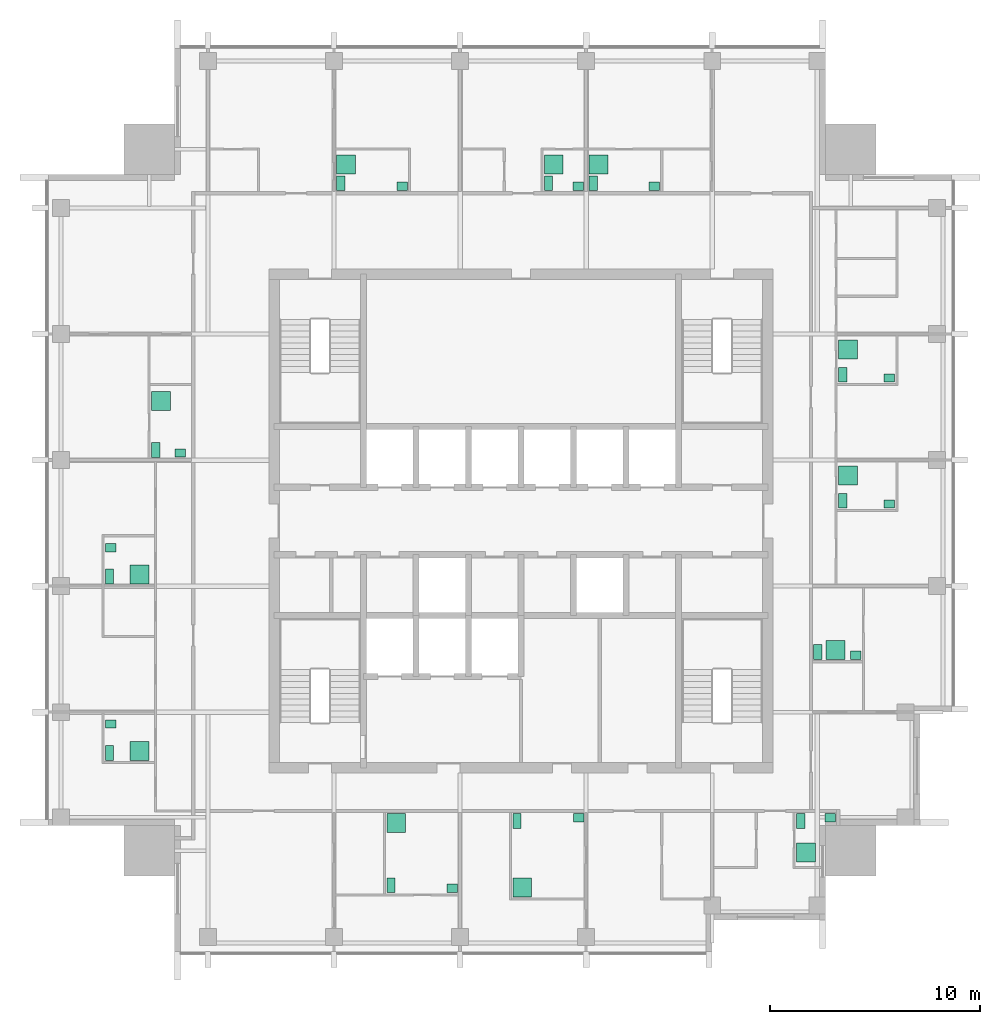
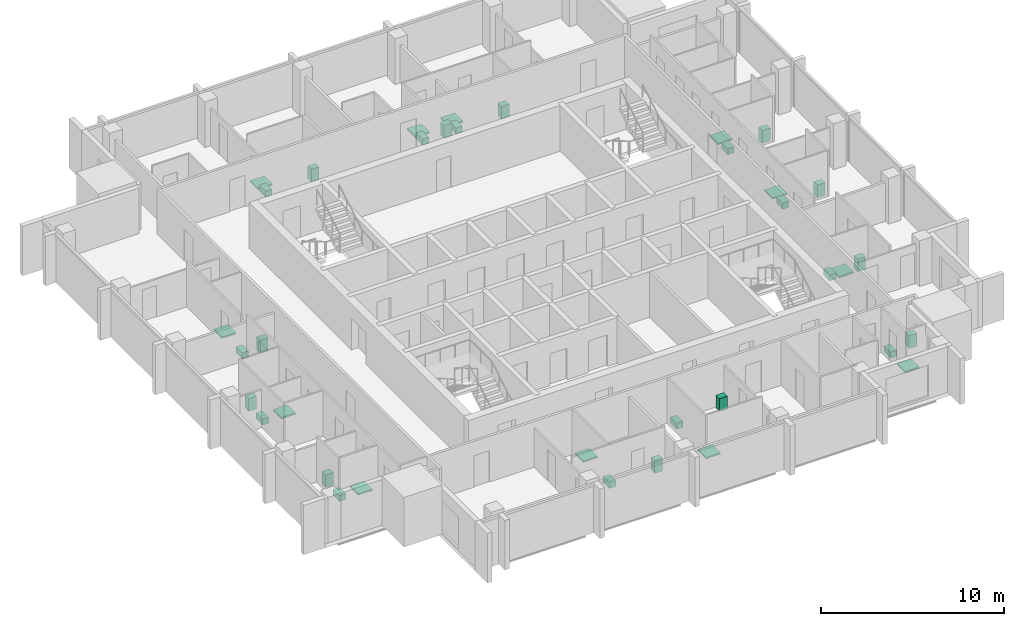
# One storey, part 9 of 9: 36 sanitary terminals.
"""IFC4 building model written with IfcOpenShell, lengths in metres."""

import ifcopenshell
import ifcopenshell.guid

model = None  # the IFC model being written
_history = None  # IfcOwnerHistory: only IFC2X3 demands one
_inside = {}  # id of a spatial element -> (the spatial element, [elements in it])
_under = {}  # id of a project, library or spatial element -> (it, [spatial elements below it])
_declared = {}  # id of a project -> (the project, [libraries it declares])
_typed = {}  # id of a type object -> (the type object, [elements of that type])
_made_of = {}  # id of a material, layer set ... -> (it, [elements and type objects made of it])


def new_model(schema):
    """Start an empty IFC model of exactly this schema.

    Asked for "IFC4X3", IfcOpenShell would pick the latest addendum, in which some entities
    have other attributes; the version numbers below select the first issue.
    IFC2X3 requires an IfcOwnerHistory on every rooted entity: one is made here for all.
    """
    global model, _history
    if schema == "IFC4X3":
        model = ifcopenshell.file(schema_version=(4, 3, 0, 0))
    else:
        model = ifcopenshell.file(schema=schema)
    _inside.clear()
    _under.clear()
    _declared.clear()
    _typed.clear()
    _made_of.clear()
    _history = None
    if model.schema == "IFC2X3":
        org = make("IfcOrganization", Name="unknown")
        user = make(
            "IfcPersonAndOrganization",
            ThePerson=make("IfcPerson", FamilyName="unknown"),
            TheOrganization=org,
        )
        app = make(
            "IfcApplication",
            ApplicationDeveloper=org,
            Version="unknown",
            ApplicationFullName="unknown",
            ApplicationIdentifier="unknown",
        )
        _history = make(
            "IfcOwnerHistory",
            OwningUser=user,
            OwningApplication=app,
            ChangeAction="ADDED",
            CreationDate=0,
        )
    return model


def make(cls, **values):
    """One entity of the class cls with the attributes given. An attribute that is None is left unset."""
    return model.create_entity(
        cls, **{name: value for name, value in values.items() if value is not None}
    )


def rooted(cls, **values):
    """An entity with a GlobalId (a new one), such as an element, a storey or a relation."""
    return make(cls, GlobalId=ifcopenshell.guid.new(), OwnerHistory=_history, **values)


def si_unit(unit_type, name, prefix=None):
    """IfcSIUnit, for example si_unit("LENGTHUNIT", "METRE", prefix="MILLI")."""
    return make("IfcSIUnit", UnitType=unit_type, Prefix=prefix, Name=name)


def assignment(units):
    """IfcUnitAssignment: the units of a project."""
    return None if units is None else make("IfcUnitAssignment", Units=units)


def point(xyz):
    """IfcCartesianPoint."""
    return None if xyz is None else make("IfcCartesianPoint", Coordinates=xyz)


def direction(xyz):
    """IfcDirection."""
    return None if xyz is None else make("IfcDirection", DirectionRatios=xyz)


def frame(location, z_axis=None, x_axis=None):
    """IfcAxis2Placement3D, a coordinate frame: its origin and axes. An axis left out is left unset."""
    return make(
        "IfcAxis2Placement3D",
        Location=point(location),
        Axis=direction(z_axis),
        RefDirection=direction(x_axis),
    )


def frame_2d(location, x_axis=None):
    """IfcAxis2Placement2D, a coordinate frame in the plane: its origin and x axis."""
    return make(
        "IfcAxis2Placement2D", Location=point(location), RefDirection=direction(x_axis)
    )


def origin():
    """The frame at (0, 0, 0) with its axes left unset."""
    return frame((0.0, 0.0, 0.0))


def origin_2d():
    """The frame at (0, 0) in the plane with its x axis left unset."""
    return frame_2d((0.0, 0.0))


def place(relative_to, where):
    """IfcLocalPlacement: puts the frame where relative to a parent placement (None: the world)."""
    return make(
        "IfcLocalPlacement", PlacementRelTo=relative_to, RelativePlacement=where
    )


def context(
    kind, dimensions, precision=None, world=None, true_north=None, identifier=None
):
    """IfcGeometricRepresentationContext, for example the 3D "Model" context."""
    return make(
        "IfcGeometricRepresentationContext",
        ContextIdentifier=identifier,
        ContextType=kind,
        CoordinateSpaceDimension=dimensions,
        Precision=precision,
        WorldCoordinateSystem=world,
        TrueNorth=true_north,
    )


def subcontext(parent, identifier, kind, view, scale=None):
    """IfcGeometricRepresentationSubContext, for example "Body" below "Model"."""
    return make(
        "IfcGeometricRepresentationSubContext",
        ContextIdentifier=identifier,
        ContextType=kind,
        ParentContext=parent,
        TargetScale=scale,
        TargetView=view,
    )


def project(units=None, contexts=None):
    """IfcProject with its units and contexts."""
    return rooted(
        "IfcProject",
        Name="project",
        RepresentationContexts=contexts,
        UnitsInContext=assignment(units),
    )


def spatial(cls, under=None, at=None, **own):
    """A site, building, storey or space (cls), placed at a placement, below another one or the project."""
    s = rooted(cls, ObjectPlacement=at, **own)
    if under is not None:
        _under.setdefault(under.id(), (under, []))[1].append(s)
    return s


def profile(cls, at=None, kind="AREA", **sizes):
    """A parametric profile (cls). Its sizes go by their IFC names, for example OverallWidth=200.0."""
    return make(cls, ProfileType=kind, Position=at, **sizes)


def rectangle(**sizes):
    """IfcRectangleProfileDef."""
    return profile("IfcRectangleProfileDef", **sizes)


def extrude(swept, where, along, depth):
    """IfcExtrudedAreaSolid: the profile swept, set in the frame where, extruded along a direction by depth."""
    return make(
        "IfcExtrudedAreaSolid",
        SweptArea=swept,
        Position=where,
        ExtrudedDirection=direction(along),
        Depth=depth,
    )


def shape(context_of_items, identifier, shape_type, items):
    """IfcShapeRepresentation: the items that make up one representation, for example the "Body"."""
    return make(
        "IfcShapeRepresentation",
        ContextOfItems=context_of_items,
        RepresentationIdentifier=identifier,
        RepresentationType=shape_type,
        Items=items,
    )


def made_of(thing, what):
    """Note that an element or type object is made of a material, layer set ...; save() writes the relation."""
    if what is not None:
        _made_of.setdefault(what.id(), (what, []))[1].append(thing)
    return thing


def element(
    cls,
    number,
    at=None,
    inside=None,
    cuts=None,
    type_object=None,
    material=None,
    context=None,
    identifier="Body",
    shape_type=None,
    held_by="IfcProductDefinitionShape",
    body=None,
    shapes=None,
    **own,
):
    """One element of the class cls, such as IfcWall. Its Tag is "e" and its number.

    at: its placement. inside: the storey or other place that contains it. cuts: it is an
    opening in that element (IfcRelVoidsElement). A single representation is given by context,
    identifier, shape_type and body (its items); several are given by shapes. held_by: the class
    of the entity that holds the representations. save() writes the other relations.
    """
    e = rooted(cls, Tag="e%d" % number, ObjectPlacement=at, **own)
    if body is not None:
        shapes = [shape(context, identifier, shape_type, body)]
    if shapes is not None:
        e.Representation = make(held_by, Representations=shapes)
    if inside is not None:
        _inside.setdefault(inside.id(), (inside, []))[1].append(e)
    if cuts is not None:
        rooted(
            "IfcRelVoidsElement", RelatingBuildingElement=cuts, RelatedOpeningElement=e
        )
    if type_object is not None:
        _typed.setdefault(type_object.id(), (type_object, []))[1].append(e)
    return made_of(e, material)


def aggregate(whole, parts):
    """IfcRelAggregates: a whole, such as a stair, and the parts it consists of."""
    return rooted("IfcRelAggregates", RelatingObject=whole, RelatedObjects=parts)


def save(model, path):
    """Write the relations noted so far, then the file.

    IfcRelAggregates (storeys below a building ...), IfcRelContainedInSpatialStructure (elements
    in a storey), IfcRelDefinesByType, IfcRelAssociatesMaterial and IfcRelDeclares: one each for
    every whole, place, type object, material and project.
    """
    for whole, parts in _under.values():
        aggregate(whole, parts)
    for where, things in _inside.values():
        rooted(
            "IfcRelContainedInSpatialStructure",
            RelatedElements=things,
            RelatingStructure=where,
        )
    for kind, things in _typed.values():
        rooted("IfcRelDefinesByType", RelatedObjects=things, RelatingType=kind)
    for what, things in _made_of.values():
        rooted("IfcRelAssociatesMaterial", RelatedObjects=things, RelatingMaterial=what)
    for by, libraries in _declared.values():
        rooted("IfcRelDeclares", RelatingContext=by, RelatedDefinitions=libraries)
    model.write(path)


model = new_model("IFC4")

# Units and contexts
model_context = context("Model", 3, precision=1e-05, world=origin(), true_north=direction((0.0, 1.0)))
body_context = subcontext(model_context, "Body", "Model", "MODEL_VIEW")
ifc_project = project(units=[si_unit("LENGTHUNIT", "METRE"), si_unit("AREAUNIT", "SQUARE_METRE"), si_unit("VOLUMEUNIT", "CUBIC_METRE"), si_unit("PLANEANGLEUNIT", "RADIAN"), si_unit("MASSUNIT", "GRAM", prefix="KILO")], contexts=[model_context])

# Site, building, storey
site_placement = place(None, origin())
site = spatial("IfcSite", under=ifc_project, at=site_placement, CompositionType="ELEMENT")
building_placement = place(site_placement, origin())
building = spatial("IfcBuilding", under=site, at=building_placement, Name="Amberfall Residences", CompositionType="ELEMENT")
storey_placement = place(building_placement, frame((0.0, 0.0, 262.0)))
storey = spatial("IfcBuildingStorey", under=building, at=storey_placement, Name="L70", CompositionType="ELEMENT", Elevation=262.0)

# Sanitary terminals
sanitary_terminal_1_placement = place(storey_placement, frame((68.31005859375, 28.159912109375, 0.0), z_axis=(0.0, 0.0, 1.0), x_axis=(1.0, 0.0, 0.0)))
element("IfcSanitaryTerminal", 1, at=sanitary_terminal_1_placement, inside=storey, Name="Water closet 7001", PredefinedType="TOILETPAN", context=body_context, shape_type="SweptSolid", body=[
    extrude(rectangle(XDim=0.39990234375, YDim=0.699951171875, at=origin_2d()), origin(), (0.0, 0.0, 1.0), 0.39990234375),
])
sanitary_terminal_2_placement = place(storey_placement, frame((71.215087890625, 28.010009765625, 0.0), z_axis=(0.0, 0.0, 1.0), x_axis=(1.0, 0.0, 0.0)))
element("IfcSanitaryTerminal", 2, at=sanitary_terminal_2_placement, inside=storey, Name="Basin 7001", PredefinedType="WASHHANDBASIN", context=body_context, shape_type="SweptSolid", body=[
    extrude(rectangle(XDim=0.5, YDim=0.39990234375, at=origin_2d()), origin(), (0.0, 0.0, 1.0), 0.85009765625),
])
sanitary_terminal_3_placement = place(storey_placement, frame((68.56005859375, 31.114990234375, 0.0), z_axis=(0.0, 0.0, 1.0), x_axis=(1.0, 0.0, 0.0)))
element("IfcSanitaryTerminal", 3, at=sanitary_terminal_3_placement, inside=storey, Name="Shower tray 7001", PredefinedType="SHOWER", context=body_context, shape_type="SweptSolid", body=[
    extrude(rectangle(XDim=0.89990234375, YDim=0.89990234375, at=origin_2d()), origin(), (0.0, 0.0, 1.0), 0.10009765625),
])
sanitary_terminal_4_placement = place(storey_placement, frame((74.31005859375, 31.215087890625, 0.0), z_axis=(0.0, 0.0, 1.0), x_axis=(1.0, 0.0, 0.0)))
element("IfcSanitaryTerminal", 4, at=sanitary_terminal_4_placement, inside=storey, Name="Water closet 7002", PredefinedType="TOILETPAN", context=body_context, shape_type="SweptSolid", body=[
    extrude(rectangle(XDim=0.39990234375, YDim=0.699951171875, at=origin_2d()), origin(), (0.0, 0.0, 1.0), 0.39990234375),
])
sanitary_terminal_5_placement = place(storey_placement, frame((77.239990234375, 31.364990234375, 0.0), z_axis=(0.0, 0.0, 1.0), x_axis=(1.0, 0.0, 0.0)))
element("IfcSanitaryTerminal", 5, at=sanitary_terminal_5_placement, inside=storey, Name="Basin 7002", PredefinedType="WASHHANDBASIN", context=body_context, shape_type="SweptSolid", body=[
    extrude(rectangle(XDim=0.5, YDim=0.39990234375, at=origin_2d()), origin(), (0.0, 0.0, 1.0), 0.85009765625),
])
sanitary_terminal_6_placement = place(storey_placement, frame((74.56005859375, 28.06005859375, 0.0), z_axis=(0.0, 0.0, 1.0), x_axis=(1.0, 0.0, 0.0)))
element("IfcSanitaryTerminal", 6, at=sanitary_terminal_6_placement, inside=storey, Name="Shower tray 7002", PredefinedType="SHOWER", context=body_context, shape_type="SweptSolid", body=[
    extrude(rectangle(XDim=0.89990234375, YDim=0.89990234375, at=origin_2d()), origin(), (0.0, 0.0, 1.0), 0.10009765625),
])
sanitary_terminal_7_placement = place(storey_placement, frame((87.81005859375, 31.215087890625, 0.0), z_axis=(0.0, 0.0, 1.0), x_axis=(1.0, 0.0, 0.0)))
element("IfcSanitaryTerminal", 7, at=sanitary_terminal_7_placement, inside=storey, Name="Water closet 7003", PredefinedType="TOILETPAN", context=body_context, shape_type="SweptSolid", body=[
    extrude(rectangle(XDim=0.39990234375, YDim=0.699951171875, at=origin_2d()), origin(), (0.0, 0.0, 1.0), 0.39990234375),
])
sanitary_terminal_8_placement = place(storey_placement, frame((89.215087890625, 31.364990234375, 0.0), z_axis=(0.0, 0.0, 1.0), x_axis=(1.0, 0.0, 0.0)))
element("IfcSanitaryTerminal", 8, at=sanitary_terminal_8_placement, inside=storey, Name="Basin 7003", PredefinedType="WASHHANDBASIN", context=body_context, shape_type="SweptSolid", body=[
    extrude(rectangle(XDim=0.5, YDim=0.39990234375, at=origin_2d()), origin(), (0.0, 0.0, 1.0), 0.85009765625),
])
sanitary_terminal_9_placement = place(storey_placement, frame((88.06005859375, 29.710693359375, 0.0), z_axis=(0.0, 0.0, 1.0), x_axis=(1.0, 0.0, 0.0)))
element("IfcSanitaryTerminal", 9, at=sanitary_terminal_9_placement, inside=storey, Name="Shower tray 7003", PredefinedType="SHOWER", context=body_context, shape_type="SweptSolid", body=[
    extrude(rectangle(XDim=0.89990234375, YDim=0.89990234375, at=origin_2d()), origin(), (0.0, 0.0, 1.0), 0.10009765625),
])
sanitary_terminal_10_placement = place(storey_placement, frame((88.635009765625, 39.260009765625, 0.0), z_axis=(0.0, 0.0, 1.0), x_axis=(1.0, 0.0, 0.0)))
element("IfcSanitaryTerminal", 10, at=sanitary_terminal_10_placement, inside=storey, Name="Water closet 7004", PredefinedType="TOILETPAN", context=body_context, shape_type="SweptSolid", body=[
    extrude(rectangle(XDim=0.39990234375, YDim=0.699951171875, at=origin_2d()), origin(), (0.0, 0.0, 1.0), 0.39990234375),
])
sanitary_terminal_11_placement = place(storey_placement, frame((90.43994140625, 39.110107421875, 0.0), z_axis=(0.0, 0.0, 1.0), x_axis=(1.0, 0.0, 0.0)))
element("IfcSanitaryTerminal", 11, at=sanitary_terminal_11_placement, inside=storey, Name="Basin 7004", PredefinedType="WASHHANDBASIN", context=body_context, shape_type="SweptSolid", body=[
    extrude(rectangle(XDim=0.5, YDim=0.39990234375, at=origin_2d()), origin(), (0.0, 0.0, 1.0), 0.85009765625),
])
sanitary_terminal_12_placement = place(storey_placement, frame((89.4658203125, 39.360107421875, 0.0), z_axis=(0.0, 0.0, 1.0), x_axis=(1.0, 0.0, 0.0)))
element("IfcSanitaryTerminal", 12, at=sanitary_terminal_12_placement, inside=storey, Name="Shower tray 7004", PredefinedType="SHOWER", context=body_context, shape_type="SweptSolid", body=[
    extrude(rectangle(XDim=0.89990234375, YDim=0.89990234375, at=origin_2d()), origin(), (0.0, 0.0, 1.0), 0.10009765625),
])
sanitary_terminal_13_placement = place(storey_placement, frame((89.81005859375, 46.4599609375, 0.0), z_axis=(0.0, 0.0, 1.0), x_axis=(1.0, 0.0, 0.0)))
element("IfcSanitaryTerminal", 13, at=sanitary_terminal_13_placement, inside=storey, Name="Water closet 7005", PredefinedType="TOILETPAN", context=body_context, shape_type="SweptSolid", body=[
    extrude(rectangle(XDim=0.39990234375, YDim=0.699951171875, at=origin_2d()), origin(), (0.0, 0.0, 1.0), 0.39990234375),
])
sanitary_terminal_14_placement = place(storey_placement, frame((92.0400390625, 46.31005859375, 0.0), z_axis=(0.0, 0.0, 1.0), x_axis=(1.0, 0.0, 0.0)))
element("IfcSanitaryTerminal", 14, at=sanitary_terminal_14_placement, inside=storey, Name="Basin 7005", PredefinedType="WASHHANDBASIN", context=body_context, shape_type="SweptSolid", body=[
    extrude(rectangle(XDim=0.5, YDim=0.39990234375, at=origin_2d()), origin(), (0.0, 0.0, 1.0), 0.85009765625),
])
sanitary_terminal_15_placement = place(storey_placement, frame((90.06005859375, 47.6572265625, 0.0), z_axis=(0.0, 0.0, 1.0), x_axis=(1.0, 0.0, 0.0)))
element("IfcSanitaryTerminal", 15, at=sanitary_terminal_15_placement, inside=storey, Name="Shower tray 7005", PredefinedType="SHOWER", context=body_context, shape_type="SweptSolid", body=[
    extrude(rectangle(XDim=0.89990234375, YDim=0.89990234375, at=origin_2d()), origin(), (0.0, 0.0, 1.0), 0.10009765625),
])
sanitary_terminal_16_placement = place(storey_placement, frame((89.81005859375, 52.4599609375, 0.0), z_axis=(0.0, 0.0, 1.0), x_axis=(1.0, 0.0, 0.0)))
element("IfcSanitaryTerminal", 16, at=sanitary_terminal_16_placement, inside=storey, Name="Water closet 7005", PredefinedType="TOILETPAN", context=body_context, shape_type="SweptSolid", body=[
    extrude(rectangle(XDim=0.39990234375, YDim=0.699951171875, at=origin_2d()), origin(), (0.0, 0.0, 1.0), 0.39990234375),
])
sanitary_terminal_17_placement = place(storey_placement, frame((92.0400390625, 52.31005859375, 0.0), z_axis=(0.0, 0.0, 1.0), x_axis=(1.0, 0.0, 0.0)))
element("IfcSanitaryTerminal", 17, at=sanitary_terminal_17_placement, inside=storey, Name="Basin 7005", PredefinedType="WASHHANDBASIN", context=body_context, shape_type="SweptSolid", body=[
    extrude(rectangle(XDim=0.5, YDim=0.39990234375, at=origin_2d()), origin(), (0.0, 0.0, 1.0), 0.85009765625),
])
sanitary_terminal_18_placement = place(storey_placement, frame((90.06005859375, 53.6572265625, 0.0), z_axis=(0.0, 0.0, 1.0), x_axis=(1.0, 0.0, 0.0)))
element("IfcSanitaryTerminal", 18, at=sanitary_terminal_18_placement, inside=storey, Name="Shower tray 7005", PredefinedType="SHOWER", context=body_context, shape_type="SweptSolid", body=[
    extrude(rectangle(XDim=0.89990234375, YDim=0.89990234375, at=origin_2d()), origin(), (0.0, 0.0, 1.0), 0.10009765625),
])
sanitary_terminal_19_placement = place(storey_placement, frame((65.909912109375, 61.5849609375, 0.0), z_axis=(0.0, 0.0, 1.0), x_axis=(1.0, 0.0, 0.0)))
element("IfcSanitaryTerminal", 19, at=sanitary_terminal_19_placement, inside=storey, Name="Water closet 7006", PredefinedType="TOILETPAN", context=body_context, shape_type="SweptSolid", body=[
    extrude(rectangle(XDim=0.39990234375, YDim=0.699951171875, at=origin_2d()), origin(), (0.0, 0.0, 1.0), 0.39990234375),
])
sanitary_terminal_20_placement = place(storey_placement, frame((68.840087890625, 61.43505859375, 0.0), z_axis=(0.0, 0.0, 1.0), x_axis=(1.0, 0.0, 0.0)))
element("IfcSanitaryTerminal", 20, at=sanitary_terminal_20_placement, inside=storey, Name="Basin 7006", PredefinedType="WASHHANDBASIN", context=body_context, shape_type="SweptSolid", body=[
    extrude(rectangle(XDim=0.5, YDim=0.39990234375, at=origin_2d()), origin(), (0.0, 0.0, 1.0), 0.85009765625),
])
sanitary_terminal_21_placement = place(storey_placement, frame((66.159912109375, 62.480712890625, 0.0), z_axis=(0.0, 0.0, 1.0), x_axis=(1.0, 0.0, 0.0)))
element("IfcSanitaryTerminal", 21, at=sanitary_terminal_21_placement, inside=storey, Name="Shower tray 7006", PredefinedType="SHOWER", context=body_context, shape_type="SweptSolid", body=[
    extrude(rectangle(XDim=0.89990234375, YDim=0.89990234375, at=origin_2d()), origin(), (0.0, 0.0, 1.0), 0.10009765625),
])
sanitary_terminal_22_placement = place(storey_placement, frame((75.81005859375, 61.5849609375, 0.0), z_axis=(0.0, 0.0, 1.0), x_axis=(1.0, 0.0, 0.0)))
element("IfcSanitaryTerminal", 22, at=sanitary_terminal_22_placement, inside=storey, Name="Water closet 7007", PredefinedType="TOILETPAN", context=body_context, shape_type="SweptSolid", body=[
    extrude(rectangle(XDim=0.39990234375, YDim=0.699951171875, at=origin_2d()), origin(), (0.0, 0.0, 1.0), 0.39990234375),
])
sanitary_terminal_23_placement = place(storey_placement, frame((77.215087890625, 61.43505859375, 0.0), z_axis=(0.0, 0.0, 1.0), x_axis=(1.0, 0.0, 0.0)))
element("IfcSanitaryTerminal", 23, at=sanitary_terminal_23_placement, inside=storey, Name="Basin 7007", PredefinedType="WASHHANDBASIN", context=body_context, shape_type="SweptSolid", body=[
    extrude(rectangle(XDim=0.5, YDim=0.39990234375, at=origin_2d()), origin(), (0.0, 0.0, 1.0), 0.85009765625),
])
sanitary_terminal_24_placement = place(storey_placement, frame((76.06005859375, 62.480712890625, 0.0), z_axis=(0.0, 0.0, 1.0), x_axis=(1.0, 0.0, 0.0)))
element("IfcSanitaryTerminal", 24, at=sanitary_terminal_24_placement, inside=storey, Name="Shower tray 7007", PredefinedType="SHOWER", context=body_context, shape_type="SweptSolid", body=[
    extrude(rectangle(XDim=0.89990234375, YDim=0.89990234375, at=origin_2d()), origin(), (0.0, 0.0, 1.0), 0.10009765625),
])
sanitary_terminal_25_placement = place(storey_placement, frame((77.93505859375, 61.5849609375, 0.0), z_axis=(0.0, 0.0, 1.0), x_axis=(1.0, 0.0, 0.0)))
element("IfcSanitaryTerminal", 25, at=sanitary_terminal_25_placement, inside=storey, Name="Water closet 7008", PredefinedType="TOILETPAN", context=body_context, shape_type="SweptSolid", body=[
    extrude(rectangle(XDim=0.39990234375, YDim=0.699951171875, at=origin_2d()), origin(), (0.0, 0.0, 1.0), 0.39990234375),
])
sanitary_terminal_26_placement = place(storey_placement, frame((80.840087890625, 61.43505859375, 0.0), z_axis=(0.0, 0.0, 1.0), x_axis=(1.0, 0.0, 0.0)))
element("IfcSanitaryTerminal", 26, at=sanitary_terminal_26_placement, inside=storey, Name="Basin 7008", PredefinedType="WASHHANDBASIN", context=body_context, shape_type="SweptSolid", body=[
    extrude(rectangle(XDim=0.5, YDim=0.39990234375, at=origin_2d()), origin(), (0.0, 0.0, 1.0), 0.85009765625),
])
sanitary_terminal_27_placement = place(storey_placement, frame((78.18505859375, 62.480712890625, 0.0), z_axis=(0.0, 0.0, 1.0), x_axis=(1.0, 0.0, 0.0)))
element("IfcSanitaryTerminal", 27, at=sanitary_terminal_27_placement, inside=storey, Name="Shower tray 7008", PredefinedType="SHOWER", context=body_context, shape_type="SweptSolid", body=[
    extrude(rectangle(XDim=0.89990234375, YDim=0.89990234375, at=origin_2d()), origin(), (0.0, 0.0, 1.0), 0.10009765625),
])
sanitary_terminal_28_placement = place(storey_placement, frame((54.909912109375, 34.4599609375, 0.0), z_axis=(0.0, 0.0, 1.0), x_axis=(1.0, 0.0, 0.0)))
element("IfcSanitaryTerminal", 28, at=sanitary_terminal_28_placement, inside=storey, Name="Water closet 7009", PredefinedType="TOILETPAN", context=body_context, shape_type="SweptSolid", body=[
    extrude(rectangle(XDim=0.39990234375, YDim=0.699951171875, at=origin_2d()), origin(), (0.0, 0.0, 1.0), 0.39990234375),
])
sanitary_terminal_29_placement = place(storey_placement, frame((54.9599609375, 35.835693359375, 0.0), z_axis=(0.0, 0.0, 1.0), x_axis=(1.0, 0.0, 0.0)))
element("IfcSanitaryTerminal", 29, at=sanitary_terminal_29_placement, inside=storey, Name="Basin 7009", PredefinedType="WASHHANDBASIN", context=body_context, shape_type="SweptSolid", body=[
    extrude(rectangle(XDim=0.5, YDim=0.39990234375, at=origin_2d()), origin(), (0.0, 0.0, 1.0), 0.85009765625),
])
sanitary_terminal_30_placement = place(storey_placement, frame((56.3427734375, 34.56005859375, 0.0), z_axis=(0.0, 0.0, 1.0), x_axis=(1.0, 0.0, 0.0)))
element("IfcSanitaryTerminal", 30, at=sanitary_terminal_30_placement, inside=storey, Name="Shower tray 7009", PredefinedType="SHOWER", context=body_context, shape_type="SweptSolid", body=[
    extrude(rectangle(XDim=0.89990234375, YDim=0.89990234375, at=origin_2d()), origin(), (0.0, 0.0, 1.0), 0.10009765625),
])
sanitary_terminal_31_placement = place(storey_placement, frame((54.909912109375, 42.860107421875, 0.0), z_axis=(0.0, 0.0, 1.0), x_axis=(1.0, 0.0, 0.0)))
element("IfcSanitaryTerminal", 31, at=sanitary_terminal_31_placement, inside=storey, Name="Water closet 7009", PredefinedType="TOILETPAN", context=body_context, shape_type="SweptSolid", body=[
    extrude(rectangle(XDim=0.39990234375, YDim=0.699951171875, at=origin_2d()), origin(), (0.0, 0.0, 1.0), 0.39990234375),
])
sanitary_terminal_32_placement = place(storey_placement, frame((54.9599609375, 44.235595703125, 0.0), z_axis=(0.0, 0.0, 1.0), x_axis=(1.0, 0.0, 0.0)))
element("IfcSanitaryTerminal", 32, at=sanitary_terminal_32_placement, inside=storey, Name="Basin 7009", PredefinedType="WASHHANDBASIN", context=body_context, shape_type="SweptSolid", body=[
    extrude(rectangle(XDim=0.5, YDim=0.39990234375, at=origin_2d()), origin(), (0.0, 0.0, 1.0), 0.85009765625),
])
sanitary_terminal_33_placement = place(storey_placement, frame((56.3427734375, 42.9599609375, 0.0), z_axis=(0.0, 0.0, 1.0), x_axis=(1.0, 0.0, 0.0)))
element("IfcSanitaryTerminal", 33, at=sanitary_terminal_33_placement, inside=storey, Name="Shower tray 7009", PredefinedType="SHOWER", context=body_context, shape_type="SweptSolid", body=[
    extrude(rectangle(XDim=0.89990234375, YDim=0.89990234375, at=origin_2d()), origin(), (0.0, 0.0, 1.0), 0.10009765625),
])
sanitary_terminal_34_placement = place(storey_placement, frame((57.110107421875, 48.885009765625, 0.0), z_axis=(0.0, 0.0, 1.0), x_axis=(1.0, 0.0, 0.0)))
element("IfcSanitaryTerminal", 34, at=sanitary_terminal_34_placement, inside=storey, Name="Water closet 7010", PredefinedType="TOILETPAN", context=body_context, shape_type="SweptSolid", body=[
    extrude(rectangle(XDim=0.39990234375, YDim=0.699951171875, at=origin_2d()), origin(), (0.0, 0.0, 1.0), 0.39990234375),
])
sanitary_terminal_35_placement = place(storey_placement, frame((58.2890625, 48.735107421875, 0.0), z_axis=(0.0, 0.0, 1.0), x_axis=(1.0, 0.0, 0.0)))
element("IfcSanitaryTerminal", 35, at=sanitary_terminal_35_placement, inside=storey, Name="Basin 7010", PredefinedType="WASHHANDBASIN", context=body_context, shape_type="SweptSolid", body=[
    extrude(rectangle(XDim=0.5, YDim=0.39990234375, at=origin_2d()), origin(), (0.0, 0.0, 1.0), 0.85009765625),
])
sanitary_terminal_36_placement = place(storey_placement, frame((57.360107421875, 51.216796875, 0.0), z_axis=(0.0, 0.0, 1.0), x_axis=(1.0, 0.0, 0.0)))
element("IfcSanitaryTerminal", 36, at=sanitary_terminal_36_placement, inside=storey, Name="Shower tray 7010", PredefinedType="SHOWER", context=body_context, shape_type="SweptSolid", body=[
    extrude(rectangle(XDim=0.89990234375, YDim=0.89990234375, at=origin_2d()), origin(), (0.0, 0.0, 1.0), 0.10009765625),
])

save(model, "model.ifc")
